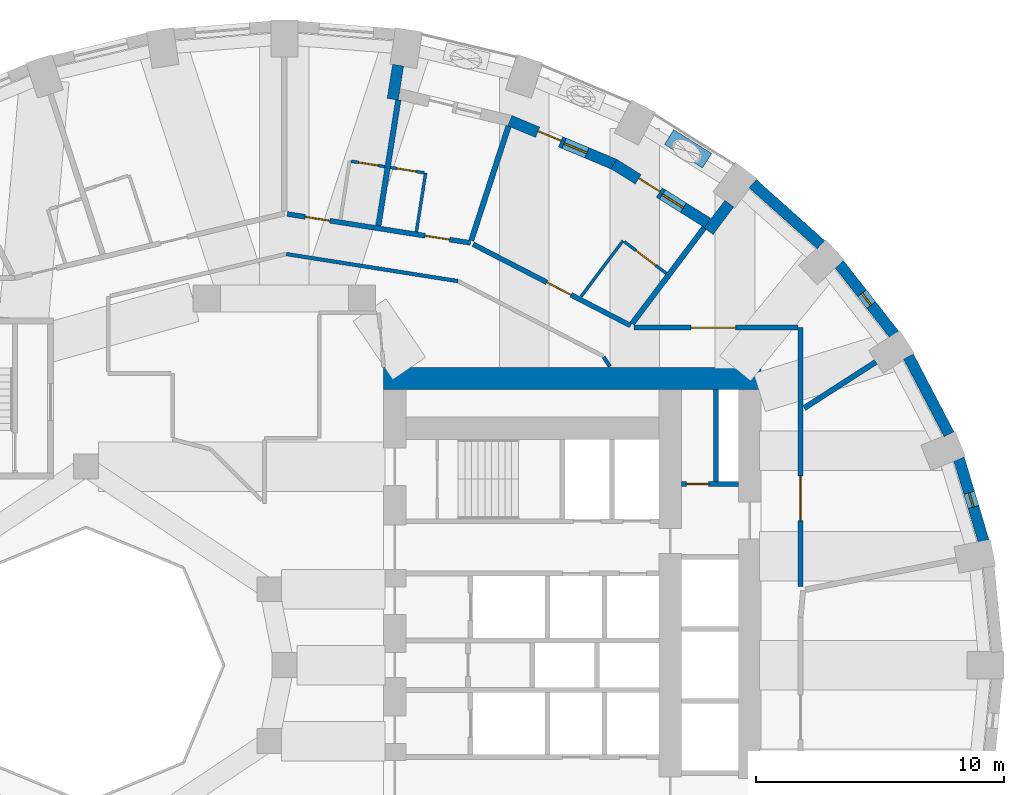
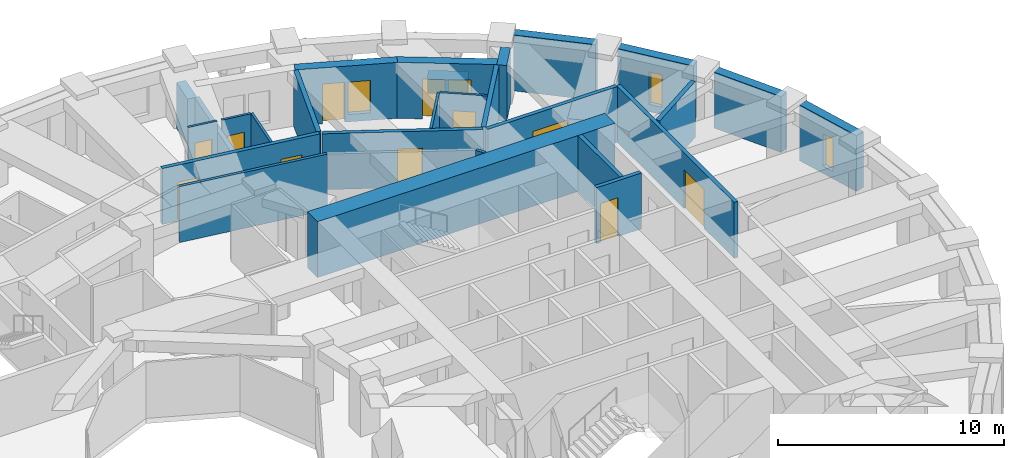
# One storey, part 9 of 13: 27 walls, 11 doors, 4 windows, 15 openings.
"""IFC4 building model written with IfcOpenShell, lengths in metres."""

from ifc_helpers import new_model, si_unit, direction, frame, frame_2d, origin, place, context, subcontext, project, spatial, rectangle, extrude, material, layer, layer_set, constituent, constituent_set, type_object, element, fill, save


model = new_model("IFC4")

# Units and contexts
model_context = context("Model", 3, precision=1e-05, world=origin(), true_north=direction((0.0, 1.0)))
body_context = subcontext(model_context, "Body", "Model", "MODEL_VIEW")
ifc_project = project(units=[si_unit("LENGTHUNIT", "METRE"), si_unit("AREAUNIT", "SQUARE_METRE"), si_unit("VOLUMEUNIT", "CUBIC_METRE"), si_unit("PLANEANGLEUNIT", "RADIAN"), si_unit("MASSUNIT", "GRAM", prefix="KILO")], contexts=[model_context])

# Site, building, storey
site_placement = place(None, origin())
site = spatial("IfcSite", under=ifc_project, at=site_placement, CompositionType="ELEMENT")
building_placement = place(site_placement, origin())
building = spatial("IfcBuilding", under=site, at=building_placement, Name="Taillehof Tower", CompositionType="ELEMENT")
storey_placement = place(building_placement, frame((0.0, 0.0, 64.60009765625)))
storey = spatial("IfcBuildingStorey", under=building, at=storey_placement, Name="L17", CompositionType="ELEMENT", Elevation=64.60009765625)

# Wall, opening, window
ifc_material_1 = material(Name="Brick masonry", Category="masonry")
ifc_layer_1 = layer(ifc_material_1, 0.449951171875)
ifc_layer_set_1 = layer_set([ifc_layer_1], Name="Brick infill wall 450")
wall_type_1 = type_object("IfcWallType", Name="Brick infill wall 450", PredefinedType="SOLIDWALL", material=ifc_layer_set_1)
wall_1_placement = place(storey_placement, frame((28.181884765625, 4.995849609375, 0.0), z_axis=(0.0, 0.0, 1.0), x_axis=(-0.287064133733, 0.957911364963, 0.0)))
wall_1 = element("IfcWall", 1, at=wall_1_placement, inside=storey, type_object=wall_type_1, Name="Brick wall L17 bay 2", PredefinedType="SOLIDWALL", context=body_context, shape_type="SweptSolid", body=[
    extrude(rectangle(XDim=3.473388671875, YDim=0.449951171875, at=frame_2d((1.73681640625, 0.0))), origin(), (0.0, 0.0, 1.0), 3.02001953125),
])
opening_1_placement = place(wall_1_placement, frame((1.436767578125, 0.0, 0.39990234375)))
opening_1 = element("IfcOpeningElement", 2, at=opening_1_placement, cuts=wall_1, Name="Opening W6", PredefinedType="OPENING", context=body_context, shape_type="SweptSolid", body=[
    extrude(rectangle(XDim=0.60009765625, YDim=1.75, at=frame_2d((0.300048828125, 0.875))), frame((0.0, 0.23486328125, 0.0), z_axis=(0.0, -1.0, 0.0), x_axis=(1.0, 0.0, 0.0)), (0.0, 0.0, 1.0), 0.469970703125),
])
ifc_material_2 = material(Name="Aluminium window frame with clear double glazing", Category="aluminium")
window_type_1 = type_object("IfcWindowType", Name="Slot window 600x1750", PartitioningType="SINGLE_PANEL", PredefinedType="WINDOW", material=ifc_material_2)
window_1_placement = place(opening_1_placement, origin())
window_1 = element("IfcWindow", 3, at=window_1_placement, inside=storey, type_object=window_type_1, Name="W6", OverallHeight=1.75, OverallWidth=0.60009765625, PartitioningType="SINGLE_PANEL", PredefinedType="WINDOW", context=body_context, shape_type="SweptSolid", body=[
    extrude(rectangle(XDim=0.60009765625, YDim=1.75, at=frame_2d((0.300048828125, 0.875))), frame((0.0, 0.034912109375, 0.0), z_axis=(0.0, -1.0, 0.0), x_axis=(1.0, 0.0, 0.0)), (0.0, 0.0, 1.0), 0.06005859375),
])
fill(opening_1, window_1)

# Wall
wall_2_placement = place(storey_placement, frame((26.78564453125, 9.30517578125, 0.0), z_axis=(0.0, 0.0, 1.0), x_axis=(-0.462492775226, 0.886623050041, 0.0)))
element("IfcWall", 4, at=wall_2_placement, inside=storey, type_object=wall_type_1, Name="Brick wall L17 bay 3", PredefinedType="SOLIDWALL", context=body_context, shape_type="SweptSolid", body=[
    extrude(rectangle(XDim=3.531982421875, YDim=0.449951171875, at=frame_2d((1.76611328125, 0.0))), origin(), (0.0, 0.0, 1.0), 3.02001953125),
])

# Wall, opening, window
wall_3_placement = place(storey_placement, frame((24.57763671875, 13.327880859375, 0.0), z_axis=(0.0, 0.0, 1.0), x_axis=(-0.616661975264, 0.787228053529, 0.0)))
wall_3 = element("IfcWall", 5, at=wall_3_placement, inside=storey, type_object=wall_type_1, Name="Brick wall L17 bay 4", PredefinedType="SOLIDWALL", context=body_context, shape_type="SweptSolid", body=[
    extrude(rectangle(XDim=3.60986328125, YDim=0.449951171875, at=frame_2d((1.804931640625, 0.0))), origin(), (0.0, 0.0, 1.0), 3.02001953125),
])
opening_2_placement = place(wall_3_placement, frame((1.5048828125, 0.0, 0.39990234375)))
opening_2 = element("IfcOpeningElement", 6, at=opening_2_placement, cuts=wall_3, Name="Opening W6", PredefinedType="OPENING", context=body_context, shape_type="SweptSolid", body=[
    extrude(rectangle(XDim=0.60009765625, YDim=1.75, at=frame_2d((0.300048828125, 0.875))), frame((0.0, 0.23486328125, 0.0), z_axis=(0.0, -1.0, 0.0), x_axis=(1.0, 0.0, 0.0)), (0.0, 0.0, 1.0), 0.469970703125),
])
window_2_placement = place(opening_2_placement, origin())
window_2 = element("IfcWindow", 7, at=window_2_placement, inside=storey, type_object=window_type_1, Name="W6", OverallHeight=1.75, OverallWidth=0.60009765625, PartitioningType="SINGLE_PANEL", PredefinedType="WINDOW", context=body_context, shape_type="SweptSolid", body=[
    extrude(rectangle(XDim=0.60009765625, YDim=1.75, at=frame_2d((0.300048828125, 0.875))), frame((0.0, 0.034912109375, 0.0), z_axis=(0.0, -1.0, 0.0), x_axis=(1.0, 0.0, 0.0)), (0.0, 0.0, 1.0), 0.06005859375),
])
fill(opening_2, window_2)

# Walls
wall_4_placement = place(storey_placement, frame((21.626708984375, 16.943115234375, 0.0), z_axis=(0.0, 0.0, 1.0), x_axis=(-0.745526233716, 0.66647628228, 0.0)))
element("IfcWall", 8, at=wall_4_placement, inside=storey, type_object=wall_type_1, Name="Brick wall L17 bay 5", PredefinedType="SOLIDWALL", context=body_context, shape_type="SweptSolid", body=[
    extrude(rectangle(XDim=3.69677734375, YDim=0.449951171875, at=frame_2d((1.848388671875, 0.0))), origin(), (0.0, 0.0, 1.0), 3.02001953125),
])
wall_5_placement = place(storey_placement, frame((17.931640625, 18.60009765625, 0.0), z_axis=(0.0, 0.0, 1.0), x_axis=(-0.601262851241, -0.799051302306, 0.0)))
element("IfcWall", 9, at=wall_5_placement, inside=storey, type_object=wall_type_1, Name="Brick reveal L17 pocket 1", PredefinedType="SOLIDWALL", context=body_context, shape_type="SweptSolid", body=[
    extrude(rectangle(XDim=1.39111328125, YDim=0.449951171875, at=frame_2d((0.695556640625, 0.0))), origin(), (0.0, 0.0, 1.0), 3.02001953125),
])
wall_6_placement = place(storey_placement, frame((4.58251953125, 24.178466796875, 0.0), z_axis=(0.0, 0.0, 1.0), x_axis=(-0.156133927791, -0.98773589415, 0.0)))
element("IfcWall", 10, at=wall_6_placement, inside=storey, type_object=wall_type_1, Name="Brick reveal L17 pocket 1", PredefinedType="SOLIDWALL", context=body_context, shape_type="SweptSolid", body=[
    extrude(rectangle(XDim=1.39013671875, YDim=0.449951171875, at=frame_2d((0.695068359375, 0.0))), origin(), (0.0, 0.0, 1.0), 2.469970703125),
])

# Wall, openings, door, window
wall_7_placement = place(storey_placement, frame((17.062255859375, 17.81884765625, 0.0), z_axis=(0.0, 0.0, 1.0), x_axis=(-0.846990101364, 0.531608660757, 0.0)))
wall_7 = element("IfcWall", 11, at=wall_7_placement, inside=storey, type_object=wall_type_1, Name="Brick wall L17 pocket bay 6", PredefinedType="SOLIDWALL", context=body_context, shape_type="SweptSolid", body=[
    extrude(rectangle(XDim=4.468994140625, YDim=0.449951171875, at=frame_2d((2.234375, 0.0))), origin(), (0.0, 0.0, 1.0), 3.02001953125),
])
opening_3_placement = place(wall_7_placement, frame((1.159423828125, 0.0, 0.39990234375)))
opening_3 = element("IfcOpeningElement", 12, at=opening_3_placement, cuts=wall_7, Name="Opening W5", PredefinedType="OPENING", context=body_context, shape_type="SweptSolid", body=[
    extrude(rectangle(XDim=1.0, YDim=1.75, at=frame_2d((0.5, 0.875))), frame((0.0, 0.23486328125, 0.0), z_axis=(0.0, -1.0, 0.0), x_axis=(1.0, 0.0, 0.0)), (0.0, 0.0, 1.0), 0.469970703125),
])
opening_4_placement = place(wall_7_placement, frame((2.3095703125, 0.0, 0.0)))
opening_4 = element("IfcOpeningElement", 13, at=opening_4_placement, cuts=wall_7, Name="Opening D1794", PredefinedType="OPENING", context=body_context, shape_type="SweptSolid", body=[
    extrude(rectangle(XDim=1.0, YDim=2.14990234375, at=frame_2d((0.5, 1.074951171875))), frame((0.0, 0.23486328125, 0.0), z_axis=(0.0, -1.0, 0.0), x_axis=(1.0, 0.0, 0.0)), (0.0, 0.0, 1.0), 0.469970703125),
])
ifc_material_3 = material(Name="Aluminium door frame with clear double glazing", Category="aluminium")
door_type_1 = type_object("IfcDoorType", Name="Balcony door 1000x2150", OperationType="SINGLE_SWING_RIGHT", PredefinedType="DOOR", material=ifc_material_3)
door_1_placement = place(opening_4_placement, frame((1.0, 0.0, 0.0), z_axis=(0.0, 0.0, 1.0), x_axis=(-1.0, 0.0, 0.0)))
door_1 = element("IfcDoor", 14, at=door_1_placement, inside=storey, type_object=door_type_1, Name="Balcony door L17 bay 6", OperationType="SINGLE_SWING_RIGHT", OverallHeight=2.14990234375, OverallWidth=1.0, PredefinedType="DOOR", context=body_context, shape_type="SweptSolid", body=[
    extrude(rectangle(XDim=1.0, YDim=2.14990234375, at=frame_2d((0.5, 1.074951171875))), frame((0.0, 0.0751953125, 0.0), z_axis=(0.0, -1.0, 0.0), x_axis=(1.0, 0.0, 0.0)), (0.0, 0.0, 1.0), 0.050048828125),
])
fill(opening_4, door_1)
ifc_material_4 = material(Name="Aluminium window frame with clear double glazing", Category="aluminium")
window_type_2 = type_object("IfcWindowType", Name="Fixed window 1000x1750", PartitioningType="SINGLE_PANEL", PredefinedType="WINDOW", material=ifc_material_4)
window_3_placement = place(opening_3_placement, origin())
window_3 = element("IfcWindow", 15, at=window_3_placement, inside=storey, type_object=window_type_2, Name="W5", OverallHeight=1.75, OverallWidth=1.0, PartitioningType="SINGLE_PANEL", PredefinedType="WINDOW", context=body_context, shape_type="SweptSolid", body=[
    extrude(rectangle(XDim=1.0, YDim=1.75, at=frame_2d((0.5, 0.875))), frame((0.0, 0.034912109375, 0.0), z_axis=(0.0, -1.0, 0.0), x_axis=(1.0, 0.0, 0.0)), (0.0, 0.0, 1.0), 0.06005859375),
])
fill(opening_3, window_3)

wall_8_placement = place(storey_placement, frame((13.31005859375, 20.177734375, 0.0), z_axis=(0.0, 0.0, 1.0), x_axis=(-0.922634412489, 0.385675693935, 0.0)))
wall_8 = element("IfcWall", 16, at=wall_8_placement, inside=storey, type_object=wall_type_1, Name="Brick wall L17 pocket bay 7", PredefinedType="SOLIDWALL", context=body_context, shape_type="SweptSolid", body=[
    extrude(rectangle(XDim=4.57666015625, YDim=0.449951171875, at=frame_2d((2.288330078125, 0.0))), origin(), (0.0, 0.0, 1.0), 3.02001953125),
])
opening_5_placement = place(wall_8_placement, frame((1.21337890625, 0.0, 0.39990234375)))
opening_5 = element("IfcOpeningElement", 17, at=opening_5_placement, cuts=wall_8, Name="Opening W5", PredefinedType="OPENING", context=body_context, shape_type="SweptSolid", body=[
    extrude(rectangle(XDim=1.0, YDim=1.75, at=frame_2d((0.5, 0.875))), frame((0.0, 0.23486328125, 0.0), z_axis=(0.0, -1.0, 0.0), x_axis=(1.0, 0.0, 0.0)), (0.0, 0.0, 1.0), 0.469970703125),
])
opening_6_placement = place(wall_8_placement, frame((2.36328125, 0.0, 0.0)))
opening_6 = element("IfcOpeningElement", 18, at=opening_6_placement, cuts=wall_8, Name="Opening D1795", PredefinedType="OPENING", context=body_context, shape_type="SweptSolid", body=[
    extrude(rectangle(XDim=1.0, YDim=2.14990234375, at=frame_2d((0.5, 1.074951171875))), frame((0.0, 0.23486328125, 0.0), z_axis=(0.0, -1.0, 0.0), x_axis=(1.0, 0.0, 0.0)), (0.0, 0.0, 1.0), 0.469970703125),
])
door_2_placement = place(opening_6_placement, frame((1.0, 0.0, 0.0), z_axis=(0.0, 0.0, 1.0), x_axis=(-1.0, 0.0, 0.0)))
door_2 = element("IfcDoor", 19, at=door_2_placement, inside=storey, type_object=door_type_1, Name="Balcony door L17 bay 7", OperationType="SINGLE_SWING_LEFT", OverallHeight=2.14990234375, OverallWidth=1.0, PredefinedType="DOOR", context=body_context, shape_type="SweptSolid", body=[
    extrude(rectangle(XDim=1.0, YDim=2.14990234375, at=frame_2d((0.5, 1.074951171875))), frame((0.0, 0.0751953125, 0.0), z_axis=(0.0, -1.0, 0.0), x_axis=(1.0, 0.0, 0.0)), (0.0, 0.0, 1.0), 0.050048828125),
])
fill(opening_6, door_2)
window_4_placement = place(opening_5_placement, origin())
window_4 = element("IfcWindow", 20, at=window_4_placement, inside=storey, type_object=window_type_2, Name="W5", OverallHeight=1.75, OverallWidth=1.0, PartitioningType="SINGLE_PANEL", PredefinedType="WINDOW", context=body_context, shape_type="SweptSolid", body=[
    extrude(rectangle(XDim=1.0, YDim=1.75, at=frame_2d((0.5, 0.875))), frame((0.0, 0.034912109375, 0.0), z_axis=(0.0, -1.0, 0.0), x_axis=(1.0, 0.0, 0.0)), (0.0, 0.0, 1.0), 0.06005859375),
])
fill(opening_5, window_4)

# Wall, opening, door
ifc_material_5 = material(Name="Calcium silicate masonry", Category="masonry")
ifc_layer_2 = layer(ifc_material_5, 0.199951171875)
ifc_layer_set_2 = layer_set([ifc_layer_2], Name="Compartment wall calcium silicate 200")
wall_type_2 = type_object("IfcWallType", Name="Compartment wall calcium silicate 200", PredefinedType="PARTITIONING", material=ifc_layer_set_2)
wall_9_placement = place(storey_placement, frame((16.0, 7.300048828125, 0.0), z_axis=(0.0, 0.0, 1.0), x_axis=(1.0, 0.0, 0.0)))
wall_9 = element("IfcWall", 21, at=wall_9_placement, inside=storey, type_object=wall_type_2, Name="Compartment wall FW", PredefinedType="PARTITIONING", context=body_context, shape_type="SweptSolid", body=[
    extrude(rectangle(XDim=2.300048828125, YDim=0.199951171875, at=frame_2d((1.14990234375, 0.0))), origin(), (0.0, 0.0, 1.0), 3.02001953125),
])
opening_7_placement = place(wall_9_placement, frame((0.199951171875, 0.0, 0.0)))
opening_7 = element("IfcOpeningElement", 22, at=opening_7_placement, cuts=wall_9, Name="Opening D1716", PredefinedType="OPENING", context=body_context, shape_type="SweptSolid", body=[
    extrude(rectangle(XDim=0.89990234375, YDim=2.10009765625, at=frame_2d((0.449951171875, 1.050048828125))), frame((0.0, 0.10986328125, 0.0), z_axis=(0.0, -1.0, 0.0), x_axis=(1.0, 0.0, 0.0)), (0.0, 0.0, 1.0), 0.219970703125),
])
ifc_material_6 = material(Name="Steel-faced fire door", Category="steel")
door_type_2 = type_object("IfcDoorType", Name="Riser and service room door 900x2100", OperationType="SINGLE_SWING_LEFT", PredefinedType="DOOR", material=ifc_material_6)
door_3_placement = place(opening_7_placement, origin())
door_3 = element("IfcDoor", 23, at=door_3_placement, inside=storey, type_object=door_type_2, Name="Door Bms Room", OperationType="SINGLE_SWING_RIGHT", OverallHeight=2.10009765625, OverallWidth=0.89990234375, PredefinedType="DOOR", context=body_context, shape_type="SweptSolid", body=[
    extrude(rectangle(XDim=0.89990234375, YDim=2.10009765625, at=frame_2d((0.449951171875, 1.050048828125))), frame((0.0, 0.02490234375, 0.0), z_axis=(0.0, -1.0, 0.0), x_axis=(1.0, 0.0, 0.0)), (0.0, 0.0, 1.0), 0.050048828125),
])
fill(opening_7, door_3)

# Wall
wall_10_placement = place(storey_placement, frame((17.39990234375, 7.39990234375, 0.0), z_axis=(0.0, 0.0, 1.0), x_axis=(0.0, 1.0, 0.0)))
element("IfcWall", 24, at=wall_10_placement, inside=storey, type_object=wall_type_2, Name="Compartment wall FW", PredefinedType="PARTITIONING", context=body_context, shape_type="SweptSolid", body=[
    extrude(rectangle(XDim=3.7001953125, YDim=0.199951171875, at=frame_2d((1.85009765625, 0.0))), origin(), (0.0, 0.0, 1.0), 3.02001953125),
])

# Wall, opening, door
ifc_material_7 = material(Name="Gypsum board on steel studs, two layers each side", Category="steel")
ifc_layer_3 = layer(ifc_material_7, 0.199951171875)
ifc_layer_set_3 = layer_set([ifc_layer_3], Name="Compartment wall corridor 200")
wall_type_3 = type_object("IfcWallType", Name="Compartment wall corridor 200", PredefinedType="PARTITIONING", material=ifc_layer_set_3)
wall_11_placement = place(storey_placement, frame((20.800048828125, 13.60009765625, 0.0), z_axis=(0.0, 0.0, 1.0), x_axis=(0.0, -1.0, 0.0)))
wall_11 = element("IfcWall", 25, at=wall_11_placement, inside=storey, type_object=wall_type_3, Name="Compartment wall", PredefinedType="PARTITIONING", context=body_context, shape_type="SweptSolid", body=[
    extrude(rectangle(XDim=10.427734375, YDim=0.199951171875, at=frame_2d((5.2138671875, 0.0))), origin(), (0.0, 0.0, 1.0), 3.02001953125),
])
opening_8_placement = place(wall_11_placement, frame((5.9755859375, 0.0, 0.0)))
opening_8 = element("IfcOpeningElement", 26, at=opening_8_placement, cuts=wall_11, Name="Opening D1777", PredefinedType="OPENING", context=body_context, shape_type="SweptSolid", body=[
    extrude(rectangle(XDim=1.800048828125, YDim=2.10009765625, at=frame_2d((0.89990234375, 1.050048828125))), frame((0.0, 0.10986328125, 0.0), z_axis=(0.0, -1.0, 0.0), x_axis=(1.0, 0.0, 0.0)), (0.0, 0.0, 1.0), 0.219970703125),
])
ifc_material_8 = material(Name="Timber door leaf in steel frame", Category="steel")
door_type_3 = type_object("IfcDoorType", Name="Lounge and meeting room double door EI 30 1800 x 2100", OperationType="SINGLE_SWING_LEFT", PredefinedType="DOOR", material=ifc_material_8)
door_4_placement = place(opening_8_placement, origin())
door_4 = element("IfcDoor", 27, at=door_4_placement, inside=storey, type_object=door_type_3, Name="D1777", OperationType="DOUBLE_DOOR_SINGLE_SWING", OverallHeight=2.10009765625, OverallWidth=1.800048828125, PredefinedType="DOOR", context=body_context, shape_type="SweptSolid", body=[
    extrude(rectangle(XDim=1.800048828125, YDim=2.10009765625, at=frame_2d((0.89990234375, 1.050048828125))), frame((0.0, 0.02490234375, 0.0), z_axis=(0.0, -1.0, 0.0), x_axis=(1.0, 0.0, 0.0)), (0.0, 0.0, 1.0), 0.050048828125),
])
fill(opening_8, door_4)

# Wall, openings, doors
wall_12_placement = place(storey_placement, frame((0.11865234375, 18.180908203125, 0.0), z_axis=(0.0, 0.0, 1.0), x_axis=(0.987788122462, -0.155803161464, 0.0)))
wall_12 = element("IfcWall", 28, at=wall_12_placement, inside=storey, type_object=wall_type_3, Name="Compartment wall", PredefinedType="PARTITIONING", context=body_context, shape_type="SweptSolid", body=[
    extrude(rectangle(XDim=7.471435546875, YDim=0.199951171875, at=frame_2d((3.73583984375, 0.0))), origin(), (0.0, 0.0, 1.0), 3.02001953125),
])
opening_9_placement = place(wall_12_placement, frame((5.61865234375, 0.0, 0.0)))
opening_9 = element("IfcOpeningElement", 29, at=opening_9_placement, cuts=wall_12, Name="Opening D1742", PredefinedType="OPENING", context=body_context, shape_type="SweptSolid", body=[
    extrude(rectangle(XDim=1.0, YDim=2.10009765625, at=frame_2d((0.5, 1.050048828125))), frame((0.0, 0.10986328125, 0.0), z_axis=(0.0, -1.0, 0.0), x_axis=(1.0, 0.0, 0.0)), (0.0, 0.0, 1.0), 0.219970703125),
])
opening_10_placement = place(wall_12_placement, frame((0.731689453125, 0.0, 0.0)))
opening_10 = element("IfcOpeningElement", 30, at=opening_10_placement, cuts=wall_12, Name="Opening D1744", PredefinedType="OPENING", context=body_context, shape_type="SweptSolid", body=[
    extrude(rectangle(XDim=1.0, YDim=2.10009765625, at=frame_2d((0.5, 1.050048828125))), frame((0.0, 0.10986328125, 0.0), z_axis=(0.0, -1.0, 0.0), x_axis=(1.0, 0.0, 0.0)), (0.0, 0.0, 1.0), 0.219970703125),
])
ifc_material_9 = material(Name="Timber door leaf in steel frame", Category="steel")
door_type_4 = type_object("IfcDoorType", Name="Guest room door EI 30 1000 x 2100", OperationType="SINGLE_SWING_LEFT", PredefinedType="DOOR", material=ifc_material_9)
door_5_placement = place(opening_9_placement, origin())
door_5 = element("IfcDoor", 31, at=door_5_placement, inside=storey, type_object=door_type_4, Name="D1742", OperationType="SINGLE_SWING_LEFT", OverallHeight=2.10009765625, OverallWidth=1.0, PredefinedType="DOOR", context=body_context, shape_type="SweptSolid", body=[
    extrude(rectangle(XDim=1.0, YDim=2.10009765625, at=frame_2d((0.5, 1.050048828125))), frame((0.0, 0.02490234375, 0.0), z_axis=(0.0, -1.0, 0.0), x_axis=(1.0, 0.0, 0.0)), (0.0, 0.0, 1.0), 0.050048828125),
])
fill(opening_9, door_5)
door_6_placement = place(opening_10_placement, origin())
door_6 = element("IfcDoor", 32, at=door_6_placement, inside=storey, type_object=door_type_4, Name="D1744", OperationType="SINGLE_SWING_RIGHT", OverallHeight=2.10009765625, OverallWidth=1.0, PredefinedType="DOOR", context=body_context, shape_type="SweptSolid", body=[
    extrude(rectangle(XDim=1.0, YDim=2.10009765625, at=frame_2d((0.5, 1.050048828125))), frame((0.0, 0.02490234375, 0.0), z_axis=(0.0, -1.0, 0.0), x_axis=(1.0, 0.0, 0.0)), (0.0, 0.0, 1.0), 0.050048828125),
])
fill(opening_10, door_6)

# Wall, opening, door
wall_13_placement = place(storey_placement, frame((7.605712890625, 16.961181640625, 0.0), z_axis=(0.0, 0.0, 1.0), x_axis=(0.888519518851, -0.45883882205, 0.0)))
wall_13 = element("IfcWall", 33, at=wall_13_placement, inside=storey, type_object=wall_type_3, Name="Compartment wall", PredefinedType="PARTITIONING", context=body_context, shape_type="SweptSolid", body=[
    extrude(rectangle(XDim=7.14208984375, YDim=0.199951171875, at=frame_2d((3.571044921875, 0.0))), origin(), (0.0, 0.0, 1.0), 3.02001953125),
])
opening_11_placement = place(wall_13_placement, frame((3.342041015625, 0.0, 0.0)))
opening_11 = element("IfcOpeningElement", 34, at=opening_11_placement, cuts=wall_13, Name="Opening D1740", PredefinedType="OPENING", context=body_context, shape_type="SweptSolid", body=[
    extrude(rectangle(XDim=1.10009765625, YDim=2.10009765625, at=frame_2d((0.550048828125, 1.050048828125))), frame((0.0, 0.10986328125, 0.0), z_axis=(0.0, -1.0, 0.0), x_axis=(1.0, 0.0, 0.0)), (0.0, 0.0, 1.0), 0.219970703125),
])
ifc_material_10 = material(Name="Timber door leaf in steel frame", Category="steel")
door_type_5 = type_object("IfcDoorType", Name="Accessible guest room door EI 30 1100 x 2100", OperationType="SINGLE_SWING_LEFT", PredefinedType="DOOR", material=ifc_material_10)
door_7_placement = place(opening_11_placement, origin())
door_7 = element("IfcDoor", 35, at=door_7_placement, inside=storey, type_object=door_type_5, Name="D1740", OperationType="SINGLE_SWING_RIGHT", OverallHeight=2.10009765625, OverallWidth=1.10009765625, PredefinedType="DOOR", context=body_context, shape_type="SweptSolid", body=[
    extrude(rectangle(XDim=1.10009765625, YDim=2.10009765625, at=frame_2d((0.550048828125, 1.050048828125))), frame((0.0, 0.02490234375, 0.0), z_axis=(0.0, -1.0, 0.0), x_axis=(1.0, 0.0, 0.0)), (0.0, 0.0, 1.0), 0.050048828125),
])
fill(opening_11, door_7)

wall_14_placement = place(storey_placement, frame((14.08642578125, 13.60009765625, 0.0), z_axis=(0.0, 0.0, 1.0), x_axis=(1.0, 0.0, 0.0)))
wall_14 = element("IfcWall", 36, at=wall_14_placement, inside=storey, type_object=wall_type_3, Name="Compartment wall", PredefinedType="PARTITIONING", context=body_context, shape_type="SweptSolid", body=[
    extrude(rectangle(XDim=6.613525390625, YDim=0.199951171875, at=frame_2d((3.306640625, 0.0))), origin(), (0.0, 0.0, 1.0), 3.02001953125),
])
opening_12_placement = place(wall_14_placement, frame((2.302734375, 0.0, 0.0)))
opening_12 = element("IfcOpeningElement", 37, at=opening_12_placement, cuts=wall_14, Name="Opening D1778", PredefinedType="OPENING", context=body_context, shape_type="SweptSolid", body=[
    extrude(rectangle(XDim=1.800048828125, YDim=2.10009765625, at=frame_2d((0.89990234375, 1.050048828125))), frame((0.0, 0.10986328125, 0.0), z_axis=(0.0, -1.0, 0.0), x_axis=(1.0, 0.0, 0.0)), (0.0, 0.0, 1.0), 0.219970703125),
])
door_8_placement = place(opening_12_placement, origin())
door_8 = element("IfcDoor", 38, at=door_8_placement, inside=storey, type_object=door_type_3, Name="D1778", OperationType="DOUBLE_DOOR_SINGLE_SWING", OverallHeight=2.10009765625, OverallWidth=1.800048828125, PredefinedType="DOOR", context=body_context, shape_type="SweptSolid", body=[
    extrude(rectangle(XDim=1.800048828125, YDim=2.10009765625, at=frame_2d((0.89990234375, 1.050048828125))), frame((0.0, 0.02490234375, 0.0), z_axis=(0.0, -1.0, 0.0), x_axis=(1.0, 0.0, 0.0)), (0.0, 0.0, 1.0), 0.050048828125),
])
fill(opening_12, door_8)

# Walls
ifc_material_11 = material(Name="Gypsum board on double steel studs with mineral wool", Category="steel")
ifc_layer_4 = layer(ifc_material_11, 0.219970703125)
ifc_layer_set_4 = layer_set([ifc_layer_4], Name="Compartment wall guest room 220")
wall_type_4 = type_object("IfcWallType", Name="Compartment wall guest room 220", PredefinedType="PARTITIONING", material=ifc_layer_set_4)
wall_15_placement = place(storey_placement, frame((23.834716796875, 12.218994140625, 0.0), z_axis=(0.0, 0.0, 1.0), x_axis=(-0.840694872373, -0.541509124176, 0.0)))
element("IfcWall", 39, at=wall_15_placement, inside=storey, type_object=wall_type_4, Name="Compartment wall", PredefinedType="PARTITIONING", context=body_context, shape_type="SweptSolid", body=[
    extrude(rectangle(XDim=3.430419921875, YDim=0.219970703125, at=frame_2d((1.71533203125, 0.0))), origin(), (0.0, 0.0, 1.0), 3.02001953125),
])
wall_16_placement = place(storey_placement, frame((16.926513671875, 17.638427734375, 0.0), z_axis=(0.0, 0.0, 1.0), x_axis=(-0.601159395391, -0.799129139334, 0.0)))
element("IfcWall", 40, at=wall_16_placement, inside=storey, type_object=wall_type_4, Name="Compartment wall", PredefinedType="PARTITIONING", context=body_context, shape_type="SweptSolid", body=[
    extrude(rectangle(XDim=4.84912109375, YDim=0.219970703125, at=frame_2d((2.424560546875, 0.0))), origin(), (0.0, 0.0, 1.0), 3.02001953125),
])
wall_17_placement = place(storey_placement, frame((9.033935546875, 21.72119140625, 0.0), z_axis=(0.0, 0.0, 1.0), x_axis=(-0.310330277344, -0.95062880188, 0.0)))
element("IfcWall", 41, at=wall_17_placement, inside=storey, type_object=wall_type_4, Name="Compartment wall", PredefinedType="PARTITIONING", context=body_context, shape_type="SweptSolid", body=[
    extrude(rectangle(XDim=4.848388671875, YDim=0.219970703125, at=frame_2d((2.42431640625, 0.0))), origin(), (0.0, 0.0, 1.0), 3.02001953125),
])
wall_18_placement = place(storey_placement, frame((4.590576171875, 22.78857421875, 0.0), z_axis=(0.0, 0.0, 1.0), x_axis=(-0.156172011014, -0.987729873486, 0.0)))
element("IfcWall", 42, at=wall_18_placement, inside=storey, type_object=wall_type_4, Name="Compartment wall", PredefinedType="PARTITIONING", context=body_context, shape_type="SweptSolid", body=[
    extrude(rectangle(XDim=5.14794921875, YDim=0.219970703125, at=frame_2d((2.573974609375, 0.0))), origin(), (0.0, 0.0, 1.0), 2.469970703125),
])
ifc_material_12 = material(Name="Gypsum board on steel studs, two layers each side", Category="steel")
ifc_layer_5 = layer(ifc_material_12, 0.14990234375)
ifc_layer_set_5 = layer_set([ifc_layer_5], Name="Compartment wall service room 150")
wall_type_5 = type_object("IfcWallType", Name="Compartment wall service room 150", PredefinedType="PARTITIONING", material=ifc_layer_set_5)
wall_19_placement = place(storey_placement, frame((0.08349609375, 16.56689453125, 0.0), z_axis=(0.0, 0.0, 1.0), x_axis=(0.987781067139, -0.15584788546, 0.0)))
element("IfcWall", 43, at=wall_19_placement, inside=storey, type_object=wall_type_5, Name="Compartment wall", PredefinedType="PARTITIONING", context=body_context, shape_type="SweptSolid", body=[
    extrude(rectangle(XDim=6.99609375, YDim=0.14990234375, at=frame_2d((3.498046875, 0.0))), origin(), (0.0, 0.0, 1.0), 3.02001953125),
])
wall_20_placement = place(storey_placement, frame((12.86376953125, 12.4228515625, 0.0), z_axis=(0.0, 0.0, 1.0), x_axis=(0.545733799108, -0.837958603101, 0.0)))
element("IfcWall", 44, at=wall_20_placement, inside=storey, type_object=wall_type_5, Name="Compartment wall", PredefinedType="PARTITIONING", context=body_context, shape_type="SweptSolid", body=[
    extrude(rectangle(XDim=0.46044921875, YDim=0.14990234375, at=frame_2d((0.230224609375, 0.0))), origin(), (0.0, 0.0, 1.0), 3.02001953125),
])
ifc_material_13 = material(Name="Concrete C80/95", Category="concrete")
ifc_layer_6 = layer(ifc_material_13, 0.89990234375)
ifc_layer_set_6 = layer_set([ifc_layer_6], Name="Core wall C80/95 900")
wall_type_6 = type_object("IfcWallType", Name="Core wall C80/95 900", PredefinedType="SHEAR", material=ifc_layer_set_6)
wall_21_placement = place(storey_placement, frame((4.0, 11.550048828125, 0.0), z_axis=(0.0, 0.0, 1.0), x_axis=(1.0, 0.0, 0.0)))
element("IfcWall", 45, at=wall_21_placement, inside=storey, type_object=wall_type_6, Name="Core wall CW03", PredefinedType="SHEAR", context=body_context, shape_type="SweptSolid", body=[
    extrude(rectangle(XDim=15.199951171875, YDim=0.89990234375, at=frame_2d((7.60009765625, 0.0))), origin(), (0.0, 0.0, 1.0), 3.02001953125),
])
ifc_material_14 = material(Name="Gypsum board on steel studs, moisture resistant", Category="steel")
ifc_layer_7 = layer(ifc_material_14, 0.1201171875)
ifc_layer_set_7 = layer_set([ifc_layer_7], Name="En-suite wall 120")
wall_type_7 = type_object("IfcWallType", Name="En-suite wall 120", PredefinedType="PARTITIONING", material=ifc_layer_set_7)
wall_22_placement = place(storey_placement, frame((11.951904296875, 14.8515625, 0.0), z_axis=(0.0, 0.0, 1.0), x_axis=(0.60115003842, 0.7991361782, 0.0)))
element("IfcWall", 46, at=wall_22_placement, inside=storey, type_object=wall_type_7, Name="En-suite wall", PredefinedType="PARTITIONING", context=body_context, shape_type="SweptSolid", body=[
    extrude(rectangle(XDim=2.817626953125, YDim=0.1201171875, at=frame_2d((1.40869140625, 0.0))), origin(), (0.0, 0.0, 1.0), 3.02001953125),
])
wall_23_placement = place(storey_placement, frame((5.31787109375, 17.462158203125, 0.0), z_axis=(0.0, 0.0, 1.0), x_axis=(0.156077517275, 0.987744809453, 0.0)))
element("IfcWall", 47, at=wall_23_placement, inside=storey, type_object=wall_type_7, Name="En-suite wall", PredefinedType="PARTITIONING", context=body_context, shape_type="SweptSolid", body=[
    extrude(rectangle(XDim=2.3994140625, YDim=0.1201171875, at=frame_2d((1.19970703125, 0.0))), origin(), (0.0, 0.0, 1.0), 3.02001953125),
])

# Wall, opening, door
wall_24_placement = place(storey_placement, frame((13.693603515625, 17.067138671875, 0.0), z_axis=(0.0, 0.0, 1.0), x_axis=(0.799118870394, -0.601173045786, 0.0)))
wall_24 = element("IfcWall", 48, at=wall_24_placement, inside=storey, type_object=wall_type_7, Name="En-suite wall", PredefinedType="PARTITIONING", context=body_context, shape_type="SweptSolid", body=[
    extrude(rectangle(XDim=2.130126953125, YDim=0.1201171875, at=frame_2d((1.06494140625, 0.0))), origin(), (0.0, 0.0, 1.0), 3.02001953125),
])
opening_13_placement = place(wall_24_placement, frame((0.590087890625, 0.0, 0.0)))
opening_13 = element("IfcOpeningElement", 49, at=opening_13_placement, cuts=wall_24, Name="Opening D1741", PredefinedType="OPENING", context=body_context, shape_type="SweptSolid", body=[
    extrude(rectangle(XDim=1.0, YDim=2.10009765625, at=frame_2d((0.5, 1.050048828125))), frame((0.0, 0.070068359375, 0.0), z_axis=(0.0, -1.0, 0.0), x_axis=(1.0, 0.0, 0.0)), (0.0, 0.0, 1.0), 0.14013671875),
])
ifc_material_15 = material(Name="Timber door leaf in steel frame", Category="steel")
door_type_6 = type_object("IfcDoorType", Name="Accessible en-suite door 1000 x 2100", OperationType="SINGLE_SWING_LEFT", PredefinedType="DOOR", material=ifc_material_15)
door_9_placement = place(opening_13_placement, origin())
door_9 = element("IfcDoor", 50, at=door_9_placement, inside=storey, type_object=door_type_6, Name="D1741", OperationType="SINGLE_SWING_RIGHT", OverallHeight=2.10009765625, OverallWidth=1.0, PredefinedType="DOOR", context=body_context, shape_type="SweptSolid", body=[
    extrude(rectangle(XDim=1.0, YDim=2.10009765625, at=frame_2d((0.5, 1.050048828125))), frame((0.0, 0.02490234375, 0.0), z_axis=(0.0, -1.0, 0.0), x_axis=(1.0, 0.0, 0.0)), (0.0, 0.0, 1.0), 0.050048828125),
])
fill(opening_13, door_9)

wall_25_placement = place(storey_placement, frame((5.633056640625, 19.841552734375, 0.0), z_axis=(0.0, 0.0, 1.0), x_axis=(-0.987722767831, 0.156216945011, 0.0)))
wall_25 = element("IfcWall", 51, at=wall_25_placement, inside=storey, type_object=wall_type_7, Name="En-suite wall", PredefinedType="PARTITIONING", context=body_context, shape_type="SweptSolid", body=[
    extrude(rectangle(XDim=1.3798828125, YDim=0.1201171875, at=frame_2d((0.68994140625, 0.0))), origin(), (0.0, 0.0, 1.0), 3.02001953125),
])
opening_14_placement = place(wall_25_placement, frame((0.31494140625, 0.0, 0.0)))
opening_14 = element("IfcOpeningElement", 52, at=opening_14_placement, cuts=wall_25, Name="Opening D1743", PredefinedType="OPENING", context=body_context, shape_type="SweptSolid", body=[
    extrude(rectangle(XDim=0.800048828125, YDim=2.10009765625, at=frame_2d((0.39990234375, 1.050048828125))), frame((0.0, 0.070068359375, 0.0), z_axis=(0.0, -1.0, 0.0), x_axis=(1.0, 0.0, 0.0)), (0.0, 0.0, 1.0), 0.14013671875),
])
ifc_material_16 = material(Name="Timber door leaf in steel frame", Category="steel")
door_type_7 = type_object("IfcDoorType", Name="En-suite door 800 x 2100", OperationType="SINGLE_SWING_LEFT", PredefinedType="DOOR", material=ifc_material_16)
door_10_placement = place(opening_14_placement, origin())
door_10 = element("IfcDoor", 53, at=door_10_placement, inside=storey, type_object=door_type_7, Name="D1743", OperationType="SINGLE_SWING_LEFT", OverallHeight=2.10009765625, OverallWidth=0.800048828125, PredefinedType="DOOR", context=body_context, shape_type="SweptSolid", body=[
    extrude(rectangle(XDim=0.800048828125, YDim=2.10009765625, at=frame_2d((0.39990234375, 1.050048828125))), frame((0.0, 0.02490234375, 0.0), z_axis=(0.0, -1.0, 0.0), x_axis=(1.0, 0.0, 0.0)), (0.0, 0.0, 1.0), 0.050048828125),
])
fill(opening_14, door_10)

wall_26_placement = place(storey_placement, frame((2.689697265625, 20.30712890625, 0.0), z_axis=(0.0, 0.0, 1.0), x_axis=(0.987695455518, -0.156389536571, 0.0)))
wall_26 = element("IfcWall", 54, at=wall_26_placement, inside=storey, type_object=wall_type_7, Name="En-suite wall", PredefinedType="PARTITIONING", context=body_context, shape_type="SweptSolid", body=[
    extrude(rectangle(XDim=1.380126953125, YDim=0.1201171875, at=frame_2d((0.68994140625, 0.0))), origin(), (0.0, 0.0, 1.0), 3.02001953125),
])
opening_15_placement = place(wall_26_placement, frame((0.315185546875, 0.0, 0.0)))
opening_15 = element("IfcOpeningElement", 55, at=opening_15_placement, cuts=wall_26, Name="Opening D1745", PredefinedType="OPENING", context=body_context, shape_type="SweptSolid", body=[
    extrude(rectangle(XDim=0.800048828125, YDim=2.10009765625, at=frame_2d((0.39990234375, 1.050048828125))), frame((0.0, 0.070068359375, 0.0), z_axis=(0.0, -1.0, 0.0), x_axis=(1.0, 0.0, 0.0)), (0.0, 0.0, 1.0), 0.14013671875),
])
door_11_placement = place(opening_15_placement, origin())
door_11 = element("IfcDoor", 56, at=door_11_placement, inside=storey, type_object=door_type_7, Name="D1745", OperationType="SINGLE_SWING_RIGHT", OverallHeight=2.10009765625, OverallWidth=0.800048828125, PredefinedType="DOOR", context=body_context, shape_type="SweptSolid", body=[
    extrude(rectangle(XDim=0.800048828125, YDim=2.10009765625, at=frame_2d((0.39990234375, 1.050048828125))), frame((0.0, 0.02490234375, 0.0), z_axis=(0.0, -1.0, 0.0), x_axis=(1.0, 0.0, 0.0)), (0.0, 0.0, 1.0), 0.050048828125),
])
fill(opening_15, door_11)

# Wall
ifc_material_17 = material(Name="Concrete C30/37 precast", Category="concrete")
ifc_constituent_1 = constituent(ifc_material_17, Name="Structure", Category="concrete")
ifc_material_18 = material(Name="Insulated lining")
ifc_constituent_2 = constituent(ifc_material_18, Name="Lining")
ifc_constituent_set = constituent_set(constituents=[ifc_constituent_1, ifc_constituent_2], Name="Planter trough 700x750")
wall_type_8 = type_object("IfcWallType", Name="Planter trough 700x750", PredefinedType="USERDEFINED", material=ifc_constituent_set)
wall_27_placement = place(storey_placement, frame((17.03173828125, 20.327880859375, 0.0), z_axis=(0.0, 0.0, 1.0), x_axis=(-0.847609446823, 0.530620604252, 0.0)))
element("IfcWall", 57, at=wall_27_placement, inside=storey, type_object=wall_type_8, Name="Planter L17 bay 6", ObjectType="PLANTER", PredefinedType="USERDEFINED", context=body_context, shape_type="SweptSolid", body=[
    extrude(rectangle(XDim=1.7998046875, YDim=0.699951171875, at=frame_2d((0.89990234375, 0.0))), origin(), (0.0, 0.0, 1.0), 0.75),
])

save(model, "model.ifc")
